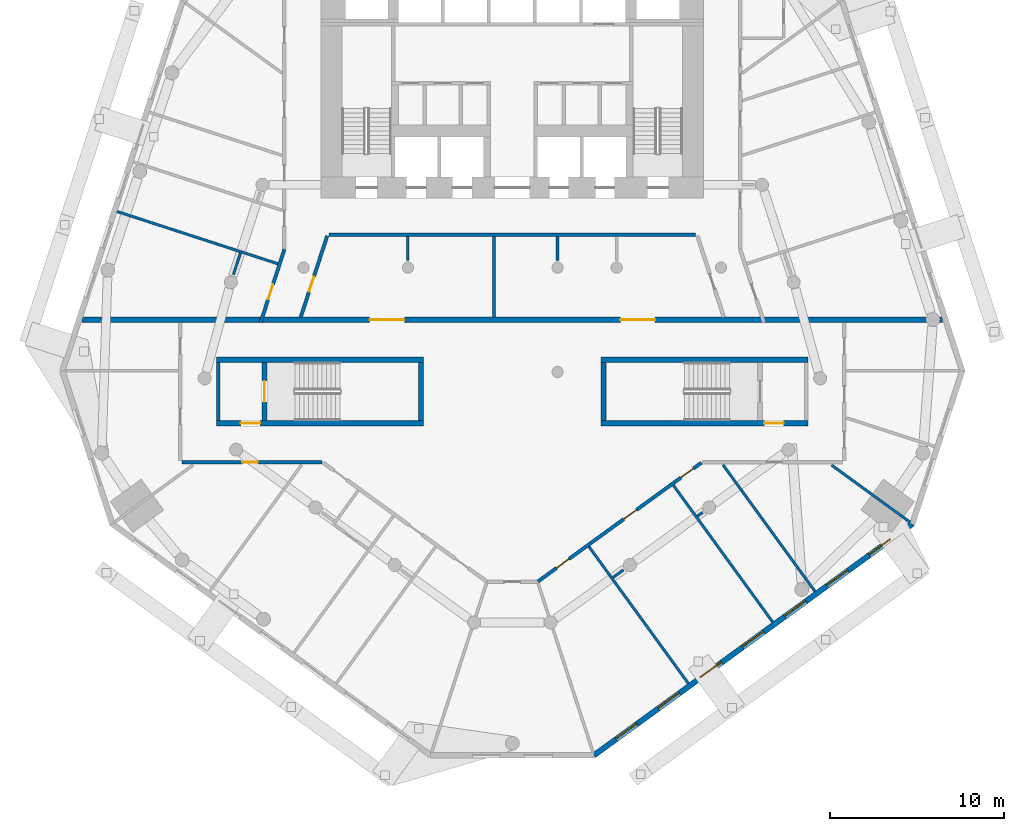
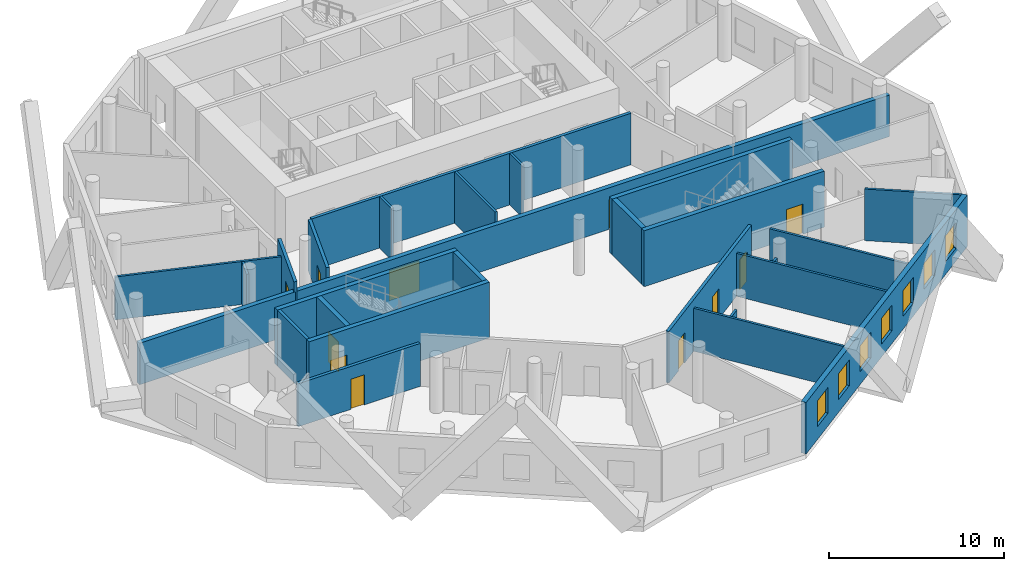
# One storey, part 4 of 10: 26 walls, 11 doors, 7 windows, 18 openings.
"""IFC4 building model written with IfcOpenShell, lengths in metres."""

from ifc_helpers import new_model, si_unit, direction, frame, frame_2d, origin, place, context, subcontext, project, spatial, rectangle, extrude, material, layer, layer_set, type_object, element, fill, save


model = new_model("IFC4")

# Units and contexts
model_context = context("Model", 3, precision=1e-05, world=origin(), true_north=direction((0.0, 1.0)))
body_context = subcontext(model_context, "Body", "Model", "MODEL_VIEW")
ifc_project = project(units=[si_unit("LENGTHUNIT", "METRE"), si_unit("AREAUNIT", "SQUARE_METRE"), si_unit("VOLUMEUNIT", "CUBIC_METRE"), si_unit("PLANEANGLEUNIT", "RADIAN"), si_unit("MASSUNIT", "GRAM", prefix="KILO")], contexts=[model_context])

# Site, building, storey
site_placement = place(None, origin())
site = spatial("IfcSite", under=ifc_project, at=site_placement, CompositionType="ELEMENT")
building_placement = place(site_placement, origin())
building = spatial("IfcBuilding", under=site, at=building_placement, Name="White Candle Pilgrim Tower", CompositionType="ELEMENT")
storey_placement = place(building_placement, frame((0.0, 0.0, 78.0)))
storey = spatial("IfcBuildingStorey", under=building, at=storey_placement, Name="L16", CompositionType="ELEMENT", Elevation=78.0)

# Wall
ifc_material_1 = material(Name="Concrete C70/85", Category="concrete")
ifc_layer_1 = layer(ifc_material_1, 0.199951171875)
ifc_layer_set_1 = layer_set([ifc_layer_1], Name="Core wall 200 mm Concrete C70/85")
wall_type_1 = type_object("IfcWallType", Name="Core wall 200 mm Concrete C70/85", PredefinedType="SHEAR", material=ifc_layer_set_1)
wall_1_placement = place(storey_placement, frame((53.10009765625, 58.199951171875, 0.0), z_axis=(0.0, 0.0, 1.0), x_axis=(0.0, 1.0, 0.0)))
element("IfcWall", 1, at=wall_1_placement, inside=storey, type_object=wall_type_1, Name="WL-L16-C03", PredefinedType="SHEAR", context=body_context, shape_type="SweptSolid", body=[
    extrude(rectangle(XDim=3.35009765625, YDim=0.199951171875, at=frame_2d((1.675048828125, 0.0))), origin(), (0.0, 0.0, 1.0), 3.89990234375),
])

# Wall, opening, door
ifc_material_2 = material(Name="Gypsum board on steel studs", Category="steel")
ifc_layer_2 = layer(ifc_material_2, 0.199951171875)
ifc_layer_set_2 = layer_set([ifc_layer_2], Name="Corridor wall 200 mm EI 45")
wall_type_2 = type_object("IfcWallType", Name="Corridor wall 200 mm EI 45", PredefinedType="PARTITIONING", material=ifc_layer_set_2)
wall_2_placement = place(storey_placement, frame((55.53173828125, 63.85009765625, 0.0), z_axis=(0.0, 0.0, 1.0), x_axis=(0.309013495578, 0.951057653116, 0.0)))
wall_2 = element("IfcWall", 2, at=wall_2_placement, inside=storey, type_object=wall_type_2, Name="WL-L16-P002", PredefinedType="PARTITIONING", context=body_context, shape_type="SweptSolid", body=[
    extrude(rectangle(XDim=4.41162109375, YDim=0.199951171875, at=frame_2d((2.205810546875, 0.0))), origin(), (0.0, 0.0, 1.0), 3.60009765625),
])
opening_1_placement = place(wall_2_placement, frame((1.395751953125, 0.0, 0.0)))
opening_1 = element("IfcOpeningElement", 3, at=opening_1_placement, cuts=wall_2, Name="Opening T05-118", PredefinedType="OPENING", context=body_context, shape_type="SweptSolid", body=[
    extrude(rectangle(XDim=0.89990234375, YDim=2.10009765625, at=frame_2d((0.449951171875, 1.050048828125))), frame((0.0, 0.10986328125, 0.0), z_axis=(0.0, -1.0, 0.0), x_axis=(1.0, 0.0, 0.0)), (0.0, 0.0, 1.0), 0.219970703125),
])
ifc_material_3 = material(Name="Steel door leaf", Category="steel")
door_type_1 = type_object("IfcDoorType", Name="Fire door 900 x 2100 EI 30", OperationType="NOTDEFINED", PredefinedType="DOOR", material=ifc_material_3)
door_1_placement = place(opening_1_placement, origin())
door_1 = element("IfcDoor", 4, at=door_1_placement, inside=storey, type_object=door_type_1, Name="Door T05-118", OperationType="SINGLE_SWING_RIGHT", OverallHeight=2.10009765625, OverallWidth=0.89990234375, PredefinedType="DOOR", context=body_context, shape_type="SweptSolid", body=[
    extrude(rectangle(XDim=0.89990234375, YDim=2.10009765625, at=frame_2d((0.449951171875, 1.050048828125))), frame((0.0, 0.02490234375, 0.0), z_axis=(0.0, -1.0, 0.0), x_axis=(1.0, 0.0, 0.0)), (0.0, 0.0, 1.0), 0.050048828125),
])
fill(opening_1, door_1)

# Wall, openings, doors
wall_3_placement = place(storey_placement, frame((80.8740234375, 55.781005859375, 0.0), z_axis=(0.0, 0.0, 1.0), x_axis=(-0.80901423231, -0.587789053931, 0.0)))
wall_3 = element("IfcWall", 5, at=wall_3_placement, inside=storey, type_object=wall_type_2, Name="WL-L16-P008", PredefinedType="PARTITIONING", context=body_context, shape_type="SweptSolid", body=[
    extrude(rectangle(XDim=11.61083984375, YDim=0.199951171875, at=frame_2d((5.805419921875, 0.0))), origin(), (0.0, 0.0, 1.0), 3.60009765625),
])
opening_2_placement = place(wall_3_placement, frame((9.40576171875, 0.0, 0.0)))
opening_2 = element("IfcOpeningElement", 6, at=opening_2_placement, cuts=wall_3, Name="Opening T05-108", PredefinedType="OPENING", context=body_context, shape_type="SweptSolid", body=[
    extrude(rectangle(XDim=0.89990234375, YDim=2.10009765625, at=frame_2d((0.449951171875, 1.050048828125))), frame((0.0, 0.10986328125, 0.0), z_axis=(0.0, -1.0, 0.0), x_axis=(1.0, 0.0, 0.0)), (0.0, 0.0, 1.0), 0.219970703125),
])
opening_3_placement = place(wall_3_placement, frame((4.6181640625, 0.0, 0.0)))
opening_3 = element("IfcOpeningElement", 7, at=opening_3_placement, cuts=wall_3, Name="Opening T05-109", PredefinedType="OPENING", context=body_context, shape_type="SweptSolid", body=[
    extrude(rectangle(XDim=0.89990234375, YDim=2.10009765625, at=frame_2d((0.449951171875, 1.050048828125))), frame((0.0, 0.10986328125, 0.0), z_axis=(0.0, -1.0, 0.0), x_axis=(1.0, 0.0, 0.0)), (0.0, 0.0, 1.0), 0.219970703125),
])
opening_4_placement = place(wall_3_placement, frame((0.56787109375, 0.0, 0.0)))
opening_4 = element("IfcOpeningElement", 8, at=opening_4_placement, cuts=wall_3, Name="Opening T05-110", PredefinedType="OPENING", context=body_context, shape_type="SweptSolid", body=[
    extrude(rectangle(XDim=0.89990234375, YDim=2.10009765625, at=frame_2d((0.449951171875, 1.050048828125))), frame((0.0, 0.10986328125, 0.0), z_axis=(0.0, -1.0, 0.0), x_axis=(1.0, 0.0, 0.0)), (0.0, 0.0, 1.0), 0.219970703125),
])
door_2_placement = place(opening_2_placement, origin())
door_2 = element("IfcDoor", 9, at=door_2_placement, inside=storey, type_object=door_type_1, Name="Door T05-108", OperationType="SINGLE_SWING_RIGHT", OverallHeight=2.10009765625, OverallWidth=0.89990234375, PredefinedType="DOOR", context=body_context, shape_type="SweptSolid", body=[
    extrude(rectangle(XDim=0.89990234375, YDim=2.10009765625, at=frame_2d((0.449951171875, 1.050048828125))), frame((0.0, 0.02490234375, 0.0), z_axis=(0.0, -1.0, 0.0), x_axis=(1.0, 0.0, 0.0)), (0.0, 0.0, 1.0), 0.050048828125),
])
fill(opening_2, door_2)
door_3_placement = place(opening_3_placement, origin())
door_3 = element("IfcDoor", 10, at=door_3_placement, inside=storey, type_object=door_type_1, Name="Door T05-109", OperationType="SINGLE_SWING_LEFT", OverallHeight=2.10009765625, OverallWidth=0.89990234375, PredefinedType="DOOR", context=body_context, shape_type="SweptSolid", body=[
    extrude(rectangle(XDim=0.89990234375, YDim=2.10009765625, at=frame_2d((0.449951171875, 1.050048828125))), frame((0.0, 0.02490234375, 0.0), z_axis=(0.0, -1.0, 0.0), x_axis=(1.0, 0.0, 0.0)), (0.0, 0.0, 1.0), 0.050048828125),
])
fill(opening_3, door_3)
door_4_placement = place(opening_4_placement, origin())
door_4 = element("IfcDoor", 11, at=door_4_placement, inside=storey, type_object=door_type_1, Name="Door T05-110", OperationType="SINGLE_SWING_RIGHT", OverallHeight=2.10009765625, OverallWidth=0.89990234375, PredefinedType="DOOR", context=body_context, shape_type="SweptSolid", body=[
    extrude(rectangle(XDim=0.89990234375, YDim=2.10009765625, at=frame_2d((0.449951171875, 1.050048828125))), frame((0.0, 0.02490234375, 0.0), z_axis=(0.0, -1.0, 0.0), x_axis=(1.0, 0.0, 0.0)), (0.0, 0.0, 1.0), 0.050048828125),
])
fill(opening_4, door_4)

# Wall, opening, door
wall_4_placement = place(storey_placement, frame((59.067138671875, 55.800048828125, 0.0), z_axis=(0.0, 0.0, 1.0), x_axis=(-1.0, 0.0, 0.0)))
wall_4 = element("IfcWall", 12, at=wall_4_placement, inside=storey, type_object=wall_type_2, Name="WL-L16-P011", PredefinedType="PARTITIONING", context=body_context, shape_type="SweptSolid", body=[
    extrude(rectangle(XDim=8.067138671875, YDim=0.199951171875, at=frame_2d((4.03369140625, 0.0))), origin(), (0.0, 0.0, 1.0), 3.0),
])
opening_5_placement = place(wall_4_placement, frame((3.693603515625, 0.0, 0.0)))
opening_5 = element("IfcOpeningElement", 13, at=opening_5_placement, cuts=wall_4, Name="Opening T05-102", PredefinedType="OPENING", context=body_context, shape_type="SweptSolid", body=[
    extrude(rectangle(XDim=0.89990234375, YDim=2.10009765625, at=frame_2d((0.449951171875, 1.050048828125))), frame((0.0, 0.10986328125, 0.0), z_axis=(0.0, -1.0, 0.0), x_axis=(1.0, 0.0, 0.0)), (0.0, 0.0, 1.0), 0.219970703125),
])
door_5_placement = place(opening_5_placement, origin())
door_5 = element("IfcDoor", 14, at=door_5_placement, inside=storey, type_object=door_type_1, Name="Door T05-102", OperationType="SINGLE_SWING_RIGHT", OverallHeight=2.10009765625, OverallWidth=0.89990234375, PredefinedType="DOOR", context=body_context, shape_type="SweptSolid", body=[
    extrude(rectangle(XDim=0.89990234375, YDim=2.10009765625, at=frame_2d((0.449951171875, 1.050048828125))), frame((0.0, 0.02490234375, 0.0), z_axis=(0.0, -1.0, 0.0), x_axis=(1.0, 0.0, 0.0)), (0.0, 0.0, 1.0), 0.050048828125),
])
fill(opening_5, door_5)

# Wall
wall_5_placement = place(storey_placement, frame((80.546630859375, 68.89990234375, 0.0), z_axis=(0.0, 0.0, 1.0), x_axis=(-1.0, 0.0, 0.0)))
element("IfcWall", 15, at=wall_5_placement, inside=storey, type_object=wall_type_2, Name="WL-L16-P013", PredefinedType="PARTITIONING", context=body_context, shape_type="SweptSolid", body=[
    extrude(rectangle(XDim=21.09326171875, YDim=0.199951171875, at=frame_2d((10.546630859375, 0.0))), origin(), (0.0, 0.0, 1.0), 3.60009765625),
])

# Wall, opening, door
wall_6_placement = place(storey_placement, frame((59.358154296875, 68.830810546875, 0.0), z_axis=(0.0, 0.0, 1.0), x_axis=(-0.308986244793, -0.95106650689, 0.0)))
wall_6 = element("IfcWall", 16, at=wall_6_placement, inside=storey, type_object=wall_type_2, Name="WL-L16-P014", PredefinedType="PARTITIONING", context=body_context, shape_type="SweptSolid", body=[
    extrude(rectangle(XDim=4.921630859375, YDim=0.199951171875, at=frame_2d((2.4609375, 0.0))), origin(), (0.0, 0.0, 1.0), 3.60009765625),
])
opening_6_placement = place(wall_6_placement, frame((2.4716796875, 0.0, 0.0)))
opening_6 = element("IfcOpeningElement", 17, at=opening_6_placement, cuts=wall_6, Name="Opening T05-131", PredefinedType="OPENING", context=body_context, shape_type="SweptSolid", body=[
    extrude(rectangle(XDim=0.89990234375, YDim=2.10009765625, at=frame_2d((0.449951171875, 1.050048828125))), frame((0.0, 0.10986328125, 0.0), z_axis=(0.0, -1.0, 0.0), x_axis=(1.0, 0.0, 0.0)), (0.0, 0.0, 1.0), 0.219970703125),
])
door_6_placement = place(opening_6_placement, origin())
door_6 = element("IfcDoor", 18, at=door_6_placement, inside=storey, type_object=door_type_1, Name="Door T05-131", OperationType="SINGLE_SWING_LEFT", OverallHeight=2.10009765625, OverallWidth=0.89990234375, PredefinedType="DOOR", context=body_context, shape_type="SweptSolid", body=[
    extrude(rectangle(XDim=0.89990234375, YDim=2.10009765625, at=frame_2d((0.449951171875, 1.050048828125))), frame((0.0, 0.02490234375, 0.0), z_axis=(0.0, -1.0, 0.0), x_axis=(1.0, 0.0, 0.0)), (0.0, 0.0, 1.0), 0.050048828125),
])
fill(opening_6, door_6)

# Wall, openings, windows
ifc_material_4 = material(Name="Precast concrete C40/50", Category="concrete")
ifc_layer_3 = layer(ifc_material_4, 0.320068359375)
ifc_layer_set_3 = layer_set([ifc_layer_3], Name="Facade wall EW1 precast concrete C40/50 pier wall with timber-lined reveals")
wall_type_3 = type_object("IfcWallType", Name="Facade wall EW1 precast concrete C40/50 pier wall with timber-lined reveals", PredefinedType="SOLIDWALL", material=ifc_layer_set_3)
wall_7_placement = place(storey_placement, frame((74.697021484375, 38.95703125, 0.0), z_axis=(0.0, 0.0, 1.0), x_axis=(0.809016763711, 0.587785569774, 0.0)))
wall_7 = element("IfcWall", 19, at=wall_7_placement, inside=storey, type_object=wall_type_3, Name="Facade wall L16 SE", PredefinedType="SOLIDWALL", context=body_context, shape_type="SweptSolid", body=[
    extrude(rectangle(XDim=22.635986328125, YDim=0.320068359375, at=frame_2d((11.31787109375, 0.0))), origin(), (0.0, 0.0, 1.0), 3.60009765625),
])
opening_7_placement = place(wall_7_placement, frame((1.568115234375, 0.0, 0.89990234375)))
opening_7 = element("IfcOpeningElement", 20, at=opening_7_placement, cuts=wall_7, Name="Opening W1", PredefinedType="OPENING", context=body_context, shape_type="SweptSolid", body=[
    extrude(rectangle(XDim=1.5, YDim=1.800048828125, at=frame_2d((0.75, 0.89990234375))), frame((0.0, 0.169921875, 0.0), z_axis=(0.0, -1.0, 0.0), x_axis=(1.0, 0.0, 0.0)), (0.0, 0.0, 1.0), 0.340087890625),
])
opening_8_placement = place(wall_7_placement, frame((4.568115234375, 0.0, 0.89990234375)))
opening_8 = element("IfcOpeningElement", 21, at=opening_8_placement, cuts=wall_7, Name="Opening W1", PredefinedType="OPENING", context=body_context, shape_type="SweptSolid", body=[
    extrude(rectangle(XDim=1.5, YDim=1.800048828125, at=frame_2d((0.75, 0.89990234375))), frame((0.0, 0.169921875, 0.0), z_axis=(0.0, -1.0, 0.0), x_axis=(1.0, 0.0, 0.0)), (0.0, 0.0, 1.0), 0.340087890625),
])
opening_9_placement = place(wall_7_placement, frame((7.568115234375, 0.0, 0.89990234375)))
opening_9 = element("IfcOpeningElement", 22, at=opening_9_placement, cuts=wall_7, Name="Opening W1", PredefinedType="OPENING", context=body_context, shape_type="SweptSolid", body=[
    extrude(rectangle(XDim=1.5, YDim=1.800048828125, at=frame_2d((0.75, 0.89990234375))), frame((0.0, 0.169921875, 0.0), z_axis=(0.0, -1.0, 0.0), x_axis=(1.0, 0.0, 0.0)), (0.0, 0.0, 1.0), 0.340087890625),
])
opening_10_placement = place(wall_7_placement, frame((10.568115234375, 0.0, 0.89990234375)))
opening_10 = element("IfcOpeningElement", 23, at=opening_10_placement, cuts=wall_7, Name="Opening W1", PredefinedType="OPENING", context=body_context, shape_type="SweptSolid", body=[
    extrude(rectangle(XDim=1.5, YDim=1.800048828125, at=frame_2d((0.75, 0.89990234375))), frame((0.0, 0.169921875, 0.0), z_axis=(0.0, -1.0, 0.0), x_axis=(1.0, 0.0, 0.0)), (0.0, 0.0, 1.0), 0.340087890625),
])
opening_11_placement = place(wall_7_placement, frame((13.568115234375, 0.0, 0.89990234375)))
opening_11 = element("IfcOpeningElement", 24, at=opening_11_placement, cuts=wall_7, Name="Opening W1", PredefinedType="OPENING", context=body_context, shape_type="SweptSolid", body=[
    extrude(rectangle(XDim=1.5, YDim=1.800048828125, at=frame_2d((0.75, 0.89990234375))), frame((0.0, 0.169921875, 0.0), z_axis=(0.0, -1.0, 0.0), x_axis=(1.0, 0.0, 0.0)), (0.0, 0.0, 1.0), 0.340087890625),
])
opening_12_placement = place(wall_7_placement, frame((16.568115234375, 0.0, 0.89990234375)))
opening_12 = element("IfcOpeningElement", 25, at=opening_12_placement, cuts=wall_7, Name="Opening W1", PredefinedType="OPENING", context=body_context, shape_type="SweptSolid", body=[
    extrude(rectangle(XDim=1.5, YDim=1.800048828125, at=frame_2d((0.75, 0.89990234375))), frame((0.0, 0.169921875, 0.0), z_axis=(0.0, -1.0, 0.0), x_axis=(1.0, 0.0, 0.0)), (0.0, 0.0, 1.0), 0.340087890625),
])
opening_13_placement = place(wall_7_placement, frame((19.568115234375, 0.0, 0.89990234375)))
opening_13 = element("IfcOpeningElement", 26, at=opening_13_placement, cuts=wall_7, Name="Opening W1", PredefinedType="OPENING", context=body_context, shape_type="SweptSolid", body=[
    extrude(rectangle(XDim=1.5, YDim=1.800048828125, at=frame_2d((0.75, 0.89990234375))), frame((0.0, 0.169921875, 0.0), z_axis=(0.0, -1.0, 0.0), x_axis=(1.0, 0.0, 0.0)), (0.0, 0.0, 1.0), 0.340087890625),
])
ifc_material_5 = material(Name="Timber frame with triple glazing", Category="wood")
window_type = type_object("IfcWindowType", Name="Window W1 1500x1800 timber frame triple glazing", PartitioningType="SINGLE_PANEL", PredefinedType="WINDOW", material=ifc_material_5)
window_1_placement = place(opening_7_placement, origin())
window_1 = element("IfcWindow", 27, at=window_1_placement, inside=storey, type_object=window_type, Name="Window W1 L16 SE 1", OverallHeight=1.800048828125, OverallWidth=1.5, PartitioningType="SINGLE_PANEL", PredefinedType="WINDOW", context=body_context, shape_type="SweptSolid", body=[
    extrude(rectangle(XDim=1.5, YDim=1.800048828125, at=frame_2d((0.75, 0.89990234375))), frame((0.0, 0.070068359375, 0.0), z_axis=(0.0, -1.0, 0.0), x_axis=(1.0, 0.0, 0.0)), (0.0, 0.0, 1.0), 0.06005859375),
])
fill(opening_7, window_1)
window_2_placement = place(opening_8_placement, origin())
window_2 = element("IfcWindow", 28, at=window_2_placement, inside=storey, type_object=window_type, Name="Window W1 L16 SE 2", OverallHeight=1.800048828125, OverallWidth=1.5, PartitioningType="SINGLE_PANEL", PredefinedType="WINDOW", context=body_context, shape_type="SweptSolid", body=[
    extrude(rectangle(XDim=1.5, YDim=1.800048828125, at=frame_2d((0.75, 0.89990234375))), frame((0.0, 0.070068359375, 0.0), z_axis=(0.0, -1.0, 0.0), x_axis=(1.0, 0.0, 0.0)), (0.0, 0.0, 1.0), 0.06005859375),
])
fill(opening_8, window_2)
window_3_placement = place(opening_9_placement, origin())
window_3 = element("IfcWindow", 29, at=window_3_placement, inside=storey, type_object=window_type, Name="Window W1 L16 SE 3", OverallHeight=1.800048828125, OverallWidth=1.5, PartitioningType="SINGLE_PANEL", PredefinedType="WINDOW", context=body_context, shape_type="SweptSolid", body=[
    extrude(rectangle(XDim=1.5, YDim=1.800048828125, at=frame_2d((0.75, 0.89990234375))), frame((0.0, 0.070068359375, 0.0), z_axis=(0.0, -1.0, 0.0), x_axis=(1.0, 0.0, 0.0)), (0.0, 0.0, 1.0), 0.06005859375),
])
fill(opening_9, window_3)
window_4_placement = place(opening_10_placement, origin())
window_4 = element("IfcWindow", 30, at=window_4_placement, inside=storey, type_object=window_type, Name="Window W1 L16 SE 4", OverallHeight=1.800048828125, OverallWidth=1.5, PartitioningType="SINGLE_PANEL", PredefinedType="WINDOW", context=body_context, shape_type="SweptSolid", body=[
    extrude(rectangle(XDim=1.5, YDim=1.800048828125, at=frame_2d((0.75, 0.89990234375))), frame((0.0, 0.070068359375, 0.0), z_axis=(0.0, -1.0, 0.0), x_axis=(1.0, 0.0, 0.0)), (0.0, 0.0, 1.0), 0.06005859375),
])
fill(opening_10, window_4)
window_5_placement = place(opening_11_placement, origin())
window_5 = element("IfcWindow", 31, at=window_5_placement, inside=storey, type_object=window_type, Name="Window W1 L16 SE 5", OverallHeight=1.800048828125, OverallWidth=1.5, PartitioningType="SINGLE_PANEL", PredefinedType="WINDOW", context=body_context, shape_type="SweptSolid", body=[
    extrude(rectangle(XDim=1.5, YDim=1.800048828125, at=frame_2d((0.75, 0.89990234375))), frame((0.0, 0.070068359375, 0.0), z_axis=(0.0, -1.0, 0.0), x_axis=(1.0, 0.0, 0.0)), (0.0, 0.0, 1.0), 0.06005859375),
])
fill(opening_11, window_5)
window_6_placement = place(opening_12_placement, origin())
window_6 = element("IfcWindow", 32, at=window_6_placement, inside=storey, type_object=window_type, Name="Window W1 L16 SE 6", OverallHeight=1.800048828125, OverallWidth=1.5, PartitioningType="SINGLE_PANEL", PredefinedType="WINDOW", context=body_context, shape_type="SweptSolid", body=[
    extrude(rectangle(XDim=1.5, YDim=1.800048828125, at=frame_2d((0.75, 0.89990234375))), frame((0.0, 0.070068359375, 0.0), z_axis=(0.0, -1.0, 0.0), x_axis=(1.0, 0.0, 0.0)), (0.0, 0.0, 1.0), 0.06005859375),
])
fill(opening_12, window_6)
window_7_placement = place(opening_13_placement, origin())
window_7 = element("IfcWindow", 33, at=window_7_placement, inside=storey, type_object=window_type, Name="Window W1 L16 SE 7", OverallHeight=1.800048828125, OverallWidth=1.5, PartitioningType="SINGLE_PANEL", PredefinedType="WINDOW", context=body_context, shape_type="SweptSolid", body=[
    extrude(rectangle(XDim=1.5, YDim=1.800048828125, at=frame_2d((0.75, 0.89990234375))), frame((0.0, 0.070068359375, 0.0), z_axis=(0.0, -1.0, 0.0), x_axis=(1.0, 0.0, 0.0)), (0.0, 0.0, 1.0), 0.06005859375),
])
fill(opening_13, window_7)

# Wall, openings, doors
ifc_material_6 = material(Name="Aerated concrete block", Category="concrete")
ifc_layer_4 = layer(ifc_material_6, 0.300048828125)
ifc_layer_set_4 = layer_set([ifc_layer_4], Name="Fire wall 300 mm REI 240")
wall_type_4 = type_object("IfcWallType", Name="Fire wall 300 mm REI 240", PredefinedType="PARTITIONING", material=ifc_layer_set_4)
wall_8_placement = place(storey_placement, frame((45.255126953125, 64.0, 0.0), z_axis=(0.0, 0.0, 1.0), x_axis=(1.0, 0.0, 0.0)))
wall_8 = element("IfcWall", 34, at=wall_8_placement, inside=storey, type_object=wall_type_4, Name="WL-L16-P001", PredefinedType="PARTITIONING", context=body_context, shape_type="SweptSolid", body=[
    extrude(rectangle(XDim=49.48974609375, YDim=0.300048828125, at=frame_2d((24.744873046875, 0.0))), origin(), (0.0, 0.0, 1.0), 2.89990234375),
])
opening_14_placement = place(wall_8_placement, frame((16.53515625, 0.0, 0.0)))
opening_14 = element("IfcOpeningElement", 35, at=opening_14_placement, cuts=wall_8, Name="Opening T05-115", PredefinedType="OPENING", context=body_context, shape_type="SweptSolid", body=[
    extrude(rectangle(XDim=2.0, YDim=2.10009765625, at=frame_2d((1.0, 1.050048828125))), frame((0.0, 0.159912109375, 0.0), z_axis=(0.0, -1.0, 0.0), x_axis=(1.0, 0.0, 0.0)), (0.0, 0.0, 1.0), 0.320068359375),
])
opening_15_placement = place(wall_8_placement, frame((30.95458984375, 0.0, 0.0)))
opening_15 = element("IfcOpeningElement", 36, at=opening_15_placement, cuts=wall_8, Name="Opening T05-116", PredefinedType="OPENING", context=body_context, shape_type="SweptSolid", body=[
    extrude(rectangle(XDim=2.0, YDim=2.10009765625, at=frame_2d((1.0, 1.050048828125))), frame((0.0, 0.159912109375, 0.0), z_axis=(0.0, -1.0, 0.0), x_axis=(1.0, 0.0, 0.0)), (0.0, 0.0, 1.0), 0.320068359375),
])
door_type_2 = type_object("IfcDoorType", Name="Fire door 2000 x 2100 EI 60", OperationType="NOTDEFINED", PredefinedType="DOOR", material=ifc_material_3)
door_7_placement = place(opening_14_placement, origin())
door_7 = element("IfcDoor", 37, at=door_7_placement, inside=storey, type_object=door_type_2, Name="Door T05-115", OperationType="DOUBLE_DOOR_SINGLE_SWING", OverallHeight=2.10009765625, OverallWidth=2.0, PredefinedType="DOOR", context=body_context, shape_type="SweptSolid", body=[
    extrude(rectangle(XDim=2.0, YDim=2.10009765625, at=frame_2d((1.0, 1.050048828125))), frame((0.0, 0.02490234375, 0.0), z_axis=(0.0, -1.0, 0.0), x_axis=(1.0, 0.0, 0.0)), (0.0, 0.0, 1.0), 0.050048828125),
])
fill(opening_14, door_7)
door_8_placement = place(opening_15_placement, origin())
door_8 = element("IfcDoor", 38, at=door_8_placement, inside=storey, type_object=door_type_2, Name="Door T05-116", OperationType="DOUBLE_DOOR_SINGLE_SWING", OverallHeight=2.10009765625, OverallWidth=2.0, PredefinedType="DOOR", context=body_context, shape_type="SweptSolid", body=[
    extrude(rectangle(XDim=2.0, YDim=2.10009765625, at=frame_2d((1.0, 1.050048828125))), frame((0.0, 0.02490234375, 0.0), z_axis=(0.0, -1.0, 0.0), x_axis=(1.0, 0.0, 0.0)), (0.0, 0.0, 1.0), 0.050048828125),
])
fill(opening_15, door_8)

# Walls
ifc_layer_5 = layer(ifc_material_2, 0.14990234375)
ifc_layer_set_5 = layer_set([ifc_layer_5], Name="Partition 150 mm EI 60")
wall_type_5 = type_object("IfcWallType", Name="Partition 150 mm EI 60", PredefinedType="PARTITIONING", material=ifc_layer_set_5)
wall_9_placement = place(storey_placement, frame((92.873779296875, 52.361083984375, 0.0), z_axis=(0.0, 0.0, 1.0), x_axis=(-0.809016140997, 0.587786426864, 0.0)))
element("IfcWall", 39, at=wall_9_placement, inside=storey, type_object=wall_type_5, Name="WL-L16-P021", PredefinedType="PARTITIONING", context=body_context, shape_type="SweptSolid", body=[
    extrude(rectangle(XDim=5.577392578125, YDim=0.14990234375, at=frame_2d((2.78857421875, 0.0))), origin(), (0.0, 0.0, 1.0), 3.60009765625),
])
wall_10_placement = place(storey_placement, frame((47.277587890625, 70.224365234375, 0.0), z_axis=(0.0, 0.0, 1.0), x_axis=(0.951054740035, -0.309022461088, 0.0)))
element("IfcWall", 40, at=wall_10_placement, inside=storey, type_object=wall_type_5, Name="WL-L16-P027", PredefinedType="PARTITIONING", context=body_context, shape_type="SweptSolid", body=[
    extrude(rectangle(XDim=9.719970703125, YDim=0.14990234375, at=frame_2d((4.85986328125, 0.0))), origin(), (0.0, 0.0, 1.0), 3.0),
])
wall_11_placement = place(storey_placement, frame((80.118896484375, 43.093994140625, 0.0), z_axis=(0.0, 0.0, 1.0), x_axis=(-0.587786323686, 0.809016215961, 0.0)))
element("IfcWall", 41, at=wall_11_placement, inside=storey, type_object=wall_type_5, Name="WL-L16-P033", PredefinedType="PARTITIONING", context=body_context, shape_type="SweptSolid", body=[
    extrude(rectangle(XDim=9.72021484375, YDim=0.14990234375, at=frame_2d((4.860107421875, 0.0))), origin(), (0.0, 0.0, 1.0), 3.0),
])
wall_12_placement = place(storey_placement, frame((84.972900390625, 46.62060546875, 0.0), z_axis=(0.0, 0.0, 1.0), x_axis=(-0.587769884111, 0.809028159789, 0.0)))
element("IfcWall", 42, at=wall_12_placement, inside=storey, type_object=wall_type_5, Name="WL-L16-P034", PredefinedType="PARTITIONING", context=body_context, shape_type="SweptSolid", body=[
    extrude(rectangle(XDim=9.719970703125, YDim=0.14990234375, at=frame_2d((4.85986328125, 0.0))), origin(), (0.0, 0.0, 1.0), 3.0),
])
wall_13_placement = place(storey_placement, frame((87.39990234375, 48.384033203125, 0.0), z_axis=(0.0, 0.0, 1.0), x_axis=(-0.587771106094, 0.809027272001, 0.0)))
element("IfcWall", 43, at=wall_13_placement, inside=storey, type_object=wall_type_5, Name="WL-L16-P035", PredefinedType="PARTITIONING", context=body_context, shape_type="SweptSolid", body=[
    extrude(rectangle(XDim=8.988525390625, YDim=0.14990234375, at=frame_2d((4.494140625, 0.0))), origin(), (0.0, 0.0, 1.0), 3.0),
])
wall_14_placement = place(storey_placement, frame((68.94970703125, 64.14990234375, 0.0), z_axis=(0.0, 0.0, 1.0), x_axis=(0.0, 1.0, 0.0)))
element("IfcWall", 44, at=wall_14_placement, inside=storey, type_object=wall_type_5, Name="WL-L16-P043", PredefinedType="PARTITIONING", context=body_context, shape_type="SweptSolid", body=[
    extrude(rectangle(XDim=4.650146484375, YDim=0.14990234375, at=frame_2d((2.3251953125, 0.0))), origin(), (0.0, 0.0, 1.0), 3.60009765625),
])
wall_15_placement = place(storey_placement, frame((76.389404296875, 49.619140625, 0.0), z_axis=(0.0, 0.0, 1.0), x_axis=(-0.809091070076, -0.587683282325, 0.0)))
element("IfcWall", 45, at=wall_15_placement, inside=storey, type_object=wall_type_5, Name="WL-L16-P046", PredefinedType="PARTITIONING", context=body_context, shape_type="SweptSolid", body=[
    extrude(rectangle(XDim=0.7431640625, YDim=0.14990234375, at=frame_2d((0.37158203125, 0.0))), origin(), (0.0, 0.0, 1.0), 3.0),
])
wall_16_placement = place(storey_placement, frame((80.949462890625, 52.92919921875, 0.0), z_axis=(0.0, 0.0, 1.0), x_axis=(-0.808903685412, -0.587941177097, 0.0)))
element("IfcWall", 46, at=wall_16_placement, inside=storey, type_object=wall_type_5, Name="WL-L16-P047", PredefinedType="PARTITIONING", context=body_context, shape_type="SweptSolid", body=[
    extrude(rectangle(XDim=0.3779296875, YDim=0.14990234375, at=frame_2d((0.18896484375, 0.0))), origin(), (0.0, 0.0, 1.0), 3.0),
])
wall_17_placement = place(storey_placement, frame((53.967041015625, 66.60107421875, 0.0), z_axis=(0.0, 0.0, 1.0), x_axis=(0.308971747858, 0.95107121659, 0.0)))
element("IfcWall", 47, at=wall_17_placement, inside=storey, type_object=wall_type_5, Name="WL-L16-P051", PredefinedType="PARTITIONING", context=body_context, shape_type="SweptSolid", body=[
    extrude(rectangle(XDim=1.3037109375, YDim=0.14990234375, at=frame_2d((0.65185546875, 0.0))), origin(), (0.0, 0.0, 1.0), 3.0),
])
for number, where, z_axis, x_axis, name in (
    (48, (63.997802734375, 67.4150390625, 0.0), (0.0, 0.0, 1.0), (0.0, 1.0, 0.0), "WL-L16-P052"),
    (49, (72.59765625, 67.4150390625, 0.0), (0.0, 0.0, 1.0), (0.0, 1.0, 0.0), "WL-L16-P053"),
):
    element("IfcWall", number, at=place(storey_placement, frame(where, z_axis=z_axis, x_axis=x_axis)), inside=storey, type_object=wall_type_5, Name=name, PredefinedType="PARTITIONING", context=body_context, shape_type="SweptSolid", body=[
        extrude(rectangle(XDim=1.385009765625, YDim=0.14990234375, at=frame_2d((0.6923828125, 0.0))), origin(), (0.0, 0.0, 1.0), 3.60009765625),
    ])

# Wall, opening, door
ifc_layer_6 = layer(ifc_material_1, 0.300048828125)
ifc_layer_set_6 = layer_set([ifc_layer_6], Name="Stair shaft wall 300 mm Concrete C70/85")
wall_type_6 = type_object("IfcWallType", Name="Stair shaft wall 300 mm Concrete C70/85", PredefinedType="SHEAR", material=ifc_layer_set_6)
wall_18_placement = place(storey_placement, frame((53.0, 58.050048828125, 0.0), z_axis=(0.0, 0.0, 1.0), x_axis=(1.0, 0.0, 0.0)))
wall_18 = element("IfcWall", 50, at=wall_18_placement, inside=storey, type_object=wall_type_6, Name="WL-L16-C01", PredefinedType="SHEAR", context=body_context, shape_type="SweptSolid", body=[
    extrude(rectangle(XDim=11.89990234375, YDim=0.300048828125, at=frame_2d((5.949951171875, 0.0))), origin(), (0.0, 0.0, 1.0), 3.89990234375),
])
opening_16_placement = place(wall_18_placement, frame((1.39990234375, 0.0, 0.0)))
opening_16 = element("IfcOpeningElement", 51, at=opening_16_placement, cuts=wall_18, Name="Opening T05-007", PredefinedType="OPENING", context=body_context, shape_type="SweptSolid", body=[
    extrude(rectangle(XDim=1.10009765625, YDim=2.10009765625, at=frame_2d((0.550048828125, 1.050048828125))), frame((0.0, 0.159912109375, 0.0), z_axis=(0.0, -1.0, 0.0), x_axis=(1.0, 0.0, 0.0)), (0.0, 0.0, 1.0), 0.320068359375),
])
door_type_3 = type_object("IfcDoorType", Name="Fire door 1100 x 2100 EI 60", OperationType="NOTDEFINED", PredefinedType="DOOR", material=ifc_material_3)
door_9_placement = place(opening_16_placement, origin())
door_9 = element("IfcDoor", 52, at=door_9_placement, inside=storey, type_object=door_type_3, Name="Door T05-007", OperationType="SINGLE_SWING_LEFT", OverallHeight=2.10009765625, OverallWidth=1.10009765625, PredefinedType="DOOR", context=body_context, shape_type="SweptSolid", body=[
    extrude(rectangle(XDim=1.10009765625, YDim=2.10009765625, at=frame_2d((0.550048828125, 1.050048828125))), frame((0.0, 0.02490234375, 0.0), z_axis=(0.0, -1.0, 0.0), x_axis=(1.0, 0.0, 0.0)), (0.0, 0.0, 1.0), 0.050048828125),
])
fill(opening_16, door_9)

wall_19_placement = place(storey_placement, frame((75.10009765625, 58.050048828125, 0.0), z_axis=(0.0, 0.0, 1.0), x_axis=(1.0, 0.0, 0.0)))
wall_19 = element("IfcWall", 53, at=wall_19_placement, inside=storey, type_object=wall_type_6, Name="WL-L16-C02", PredefinedType="SHEAR", context=body_context, shape_type="SweptSolid", body=[
    extrude(rectangle(XDim=11.89990234375, YDim=0.300048828125, at=frame_2d((5.949951171875, 0.0))), origin(), (0.0, 0.0, 1.0), 3.89990234375),
])
opening_17_placement = place(wall_19_placement, frame((9.39990234375, 0.0, 0.0)))
opening_17 = element("IfcOpeningElement", 54, at=opening_17_placement, cuts=wall_19, Name="Opening T05-009", PredefinedType="OPENING", context=body_context, shape_type="SweptSolid", body=[
    extrude(rectangle(XDim=1.10009765625, YDim=2.10009765625, at=frame_2d((0.550048828125, 1.050048828125))), frame((0.0, 0.159912109375, 0.0), z_axis=(0.0, -1.0, 0.0), x_axis=(1.0, 0.0, 0.0)), (0.0, 0.0, 1.0), 0.320068359375),
])
door_10_placement = place(opening_17_placement, origin())
door_10 = element("IfcDoor", 55, at=door_10_placement, inside=storey, type_object=door_type_3, Name="Door T05-009", OperationType="SINGLE_SWING_LEFT", OverallHeight=2.10009765625, OverallWidth=1.10009765625, PredefinedType="DOOR", context=body_context, shape_type="SweptSolid", body=[
    extrude(rectangle(XDim=1.10009765625, YDim=2.10009765625, at=frame_2d((0.550048828125, 1.050048828125))), frame((0.0, 0.02490234375, 0.0), z_axis=(0.0, -1.0, 0.0), x_axis=(1.0, 0.0, 0.0)), (0.0, 0.0, 1.0), 0.050048828125),
])
fill(opening_17, door_10)

wall_20_placement = place(storey_placement, frame((55.75, 58.199951171875, 0.0), z_axis=(0.0, 0.0, 1.0), x_axis=(0.0, 1.0, 0.0)))
wall_20 = element("IfcWall", 56, at=wall_20_placement, inside=storey, type_object=wall_type_6, Name="WL-L16-C04", PredefinedType="SHEAR", context=body_context, shape_type="SweptSolid", body=[
    extrude(rectangle(XDim=3.35009765625, YDim=0.300048828125, at=frame_2d((1.675048828125, 0.0))), origin(), (0.0, 0.0, 1.0), 3.89990234375),
])
opening_18_placement = place(wall_20_placement, frame((1.074951171875, 0.0, 0.0)))
opening_18 = element("IfcOpeningElement", 57, at=opening_18_placement, cuts=wall_20, Name="Opening T05-008", PredefinedType="OPENING", context=body_context, shape_type="SweptSolid", body=[
    extrude(rectangle(XDim=1.199951171875, YDim=2.10009765625, at=frame_2d((0.60009765625, 1.050048828125))), frame((0.0, 0.159912109375, 0.0), z_axis=(0.0, -1.0, 0.0), x_axis=(1.0, 0.0, 0.0)), (0.0, 0.0, 1.0), 0.320068359375),
])
door_type_4 = type_object("IfcDoorType", Name="Fire door 1200 x 2100 EI 60", OperationType="NOTDEFINED", PredefinedType="DOOR", material=ifc_material_3)
door_11_placement = place(opening_18_placement, frame((1.199951171875, 0.0, 0.0), z_axis=(0.0, 0.0, 1.0), x_axis=(-1.0, 0.0, 0.0)))
door_11 = element("IfcDoor", 58, at=door_11_placement, inside=storey, type_object=door_type_4, Name="Door T05-008", OperationType="SINGLE_SWING_LEFT", OverallHeight=2.10009765625, OverallWidth=1.199951171875, PredefinedType="DOOR", context=body_context, shape_type="SweptSolid", body=[
    extrude(rectangle(XDim=1.199951171875, YDim=2.10009765625, at=frame_2d((0.60009765625, 1.050048828125))), frame((0.0, 0.02490234375, 0.0), z_axis=(0.0, -1.0, 0.0), x_axis=(1.0, 0.0, 0.0)), (0.0, 0.0, 1.0), 0.050048828125),
])
fill(opening_18, door_11)

# Walls
for number, where, z_axis, x_axis, name in (
    (59, (64.75, 58.199951171875, 0.0), (0.0, 0.0, 1.0), (0.0, 1.0, 0.0), "WL-L16-C05"),
    (60, (75.25, 58.199951171875, 0.0), (0.0, 0.0, 1.0), (0.0, 1.0, 0.0), "WL-L16-C06"),
):
    element("IfcWall", number, at=place(storey_placement, frame(where, z_axis=z_axis, x_axis=x_axis)), inside=storey, type_object=wall_type_6, Name=name, PredefinedType="SHEAR", context=body_context, shape_type="SweptSolid", body=[
        extrude(rectangle(XDim=3.35009765625, YDim=0.300048828125, at=frame_2d((1.675048828125, 0.0))), origin(), (0.0, 0.0, 1.0), 3.89990234375),
    ])
for number, where, z_axis, x_axis, name in (
    (61, (53.0, 61.699951171875, 0.0), (0.0, 0.0, 1.0), (1.0, 0.0, 0.0), "WL-L16-C09"),
    (62, (75.10009765625, 61.699951171875, 0.0), (0.0, 0.0, 1.0), (1.0, 0.0, 0.0), "WL-L16-C10"),
):
    element("IfcWall", number, at=place(storey_placement, frame(where, z_axis=z_axis, x_axis=x_axis)), inside=storey, type_object=wall_type_6, Name=name, PredefinedType="SHEAR", context=body_context, shape_type="SweptSolid", body=[
        extrude(rectangle(XDim=11.89990234375, YDim=0.300048828125, at=frame_2d((5.949951171875, 0.0))), origin(), (0.0, 0.0, 1.0), 3.89990234375),
    ])

save(model, "model.ifc")
